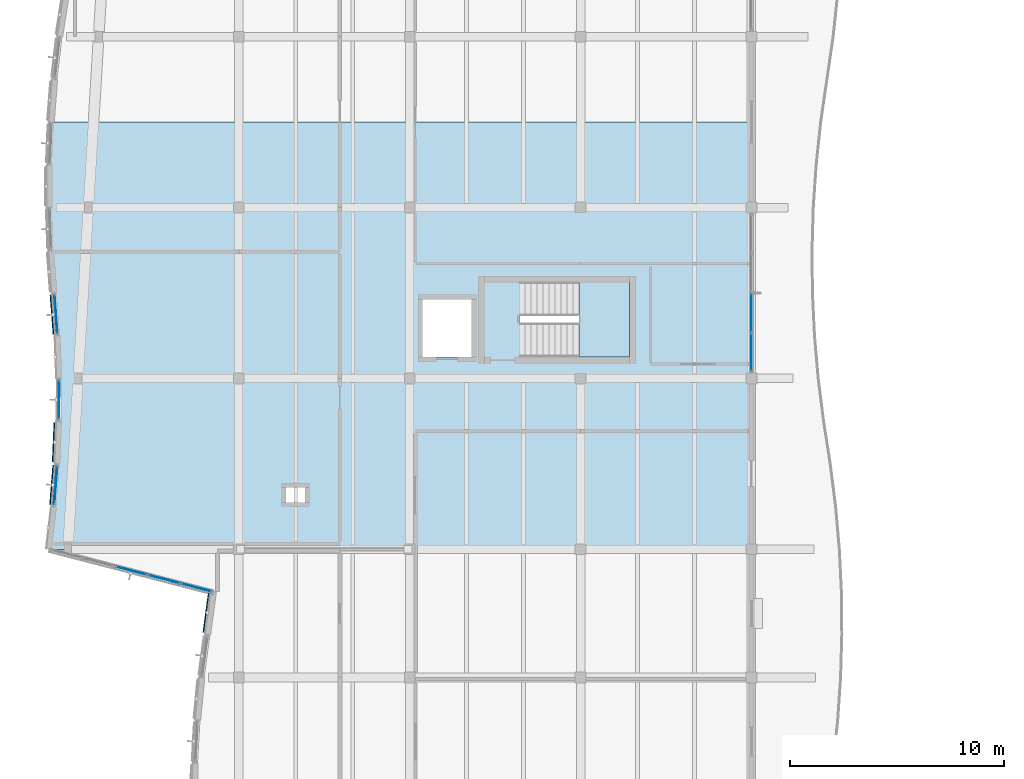
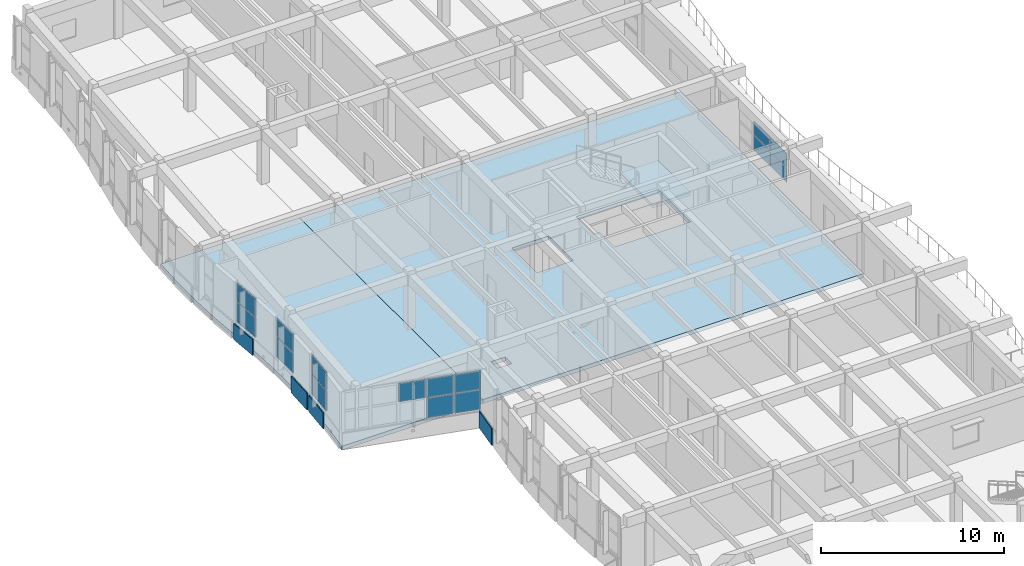
# One storey, part 45 of 89: 19 plates, 3 slabs, 6 elements without a shape of their own.
"""IFC4 building model written with IfcOpenShell, lengths in metres."""

from ifc_helpers import new_model, si_unit, direction, frame, origin, origin_2d, place, context, subcontext, project, spatial, polyline, rectangle, outline, extrude, material, layer, layer_set, type_object, element, aggregate, save


model = new_model("IFC4")

# Units and contexts
model_context = context("Model", 3, precision=1e-05, world=origin(), true_north=direction((0.0, 1.0)))
body_context = subcontext(model_context, "Body", "Model", "MODEL_VIEW")
ifc_project = project(units=[si_unit("LENGTHUNIT", "METRE"), si_unit("AREAUNIT", "SQUARE_METRE"), si_unit("VOLUMEUNIT", "CUBIC_METRE"), si_unit("PLANEANGLEUNIT", "RADIAN"), si_unit("MASSUNIT", "GRAM", prefix="KILO")], contexts=[model_context])

# Site, building, storey
site_placement = place(None, origin())
site = spatial("IfcSite", under=ifc_project, at=site_placement, CompositionType="ELEMENT")
building_placement = place(site_placement, origin())
building = spatial("IfcBuilding", under=site, at=building_placement, Name="Tonlespit Floodbar School", CompositionType="ELEMENT")
storey_placement = place(building_placement, frame((0.0, 0.0, 4.5)))
storey = spatial("IfcBuildingStorey", under=building, at=storey_placement, Name="L01", CompositionType="ELEMENT", Elevation=4.5)

# Curtain wall, plates
ifc_material_1 = material(Name="Anodised Aluminium", Category="aluminium")
ifc_layer_1 = layer(ifc_material_1, 0.159912109375)
ifc_layer_set_1 = layer_set([ifc_layer_1], Name="Anodised Aluminium")
curtain_wall_type_1 = type_object("IfcCurtainWallType", Name="CurtainWall_1900x2700", PredefinedType="NOTDEFINED", material=ifc_layer_set_1)
curtain_wall_1_placement = place(storey_placement, origin())
curtain_wall_1 = element("IfcCurtainWall", 1, at=curtain_wall_1_placement, inside=storey, type_object=curtain_wall_type_1, Name="L01 unitised curtain wall 0273", PredefinedType="NOTDEFINED")
ifc_material_2 = material(Name="Laminated Low-E Glass", Category="glass")
ifc_layer_2 = layer(ifc_material_2, 0.028076171875)
ifc_layer_set_2 = layer_set([ifc_layer_2], Name="Laminated Low-E Glass")
plate_type_1 = type_object("IfcPlateType", Name="CW_Panel_Glaz_28", PredefinedType="CURTAIN_PANEL", material=ifc_layer_set_2)
plate_1_placement = place(storey_placement, frame((3.5927734375, 63.0, 1.01513671875), z_axis=(0.0, 0.0, 1.0), x_axis=(0.00218749477, 0.99999760743, 0.0)))
plate_1 = element("IfcPlate", 2, at=plate_1_placement, type_object=plate_type_1, Name="CW-05 panel 1.1", PredefinedType="CURTAIN_PANEL", context=body_context, shape_type="SweptSolid", body=[
    extrude(rectangle(XDim=1.7900390625, YDim=0.028076171875, at=origin_2d()), origin(), (0.0, 0.0, 1.0), 1.306396484375),
])
plate_2_placement = place(storey_placement, frame((3.5927734375, 63.0, 2.38671875), z_axis=(0.0, 0.0, 1.0), x_axis=(0.00218749477, 0.99999760743, 0.0)))
plate_2 = element("IfcPlate", 3, at=plate_2_placement, type_object=plate_type_1, Name="CW-05 panel 1.2", PredefinedType="CURTAIN_PANEL", context=body_context, shape_type="SweptSolid", body=[
    extrude(rectangle(XDim=1.7900390625, YDim=0.028076171875, at=origin_2d()), origin(), (0.0, 0.0, 1.0), 1.198486328125),
])
aggregate(curtain_wall_1, [plate_1, plate_2])

ifc_layer_3 = layer(ifc_material_1, 0.159912109375)
ifc_layer_set_3 = layer_set([ifc_layer_3], Name="Anodised Aluminium")
curtain_wall_type_2 = type_object("IfcCurtainWallType", Name="CurtainWall_1950x2700", PredefinedType="NOTDEFINED", material=ifc_layer_set_3)
curtain_wall_2_placement = place(storey_placement, origin())
curtain_wall_2 = element("IfcCurtainWall", 4, at=curtain_wall_2_placement, inside=storey, type_object=curtain_wall_type_2, Name="L01 unitised curtain wall 0274", PredefinedType="NOTDEFINED")
ifc_layer_4 = layer(ifc_material_2, 0.031982421875)
ifc_layer_set_4 = layer_set([ifc_layer_4], Name="Laminated Low-E Glass")
plate_type_2 = type_object("IfcPlateType", Name="CW_Panel_Glaz_32", PredefinedType="CURTAIN_PANEL", material=ifc_layer_set_4)
plate_3_placement = place(storey_placement, frame((3.44580078125, 67.0, 1.01513671875), z_axis=(0.0, 0.0, 1.0), x_axis=(-0.075711654028, 0.997129753565, 0.0)))
plate_3 = element("IfcPlate", 5, at=plate_3_placement, type_object=plate_type_2, Name="CW-04 panel 1.1", PredefinedType="CURTAIN_PANEL", context=body_context, shape_type="SweptSolid", body=[
    extrude(rectangle(XDim=1.795654296875, YDim=0.031982421875, at=origin_2d()), origin(), (0.0, 0.0, 1.0), 1.306396484375),
])
plate_4_placement = place(storey_placement, frame((3.44580078125, 67.0, 2.38671875), z_axis=(0.0, 0.0, 1.0), x_axis=(-0.075711654028, 0.997129753565, 0.0)))
plate_4 = element("IfcPlate", 6, at=plate_4_placement, type_object=plate_type_2, Name="CW-04 panel 1.2", PredefinedType="CURTAIN_PANEL", context=body_context, shape_type="SweptSolid", body=[
    extrude(rectangle(XDim=1.795654296875, YDim=0.031982421875, at=origin_2d()), origin(), (0.0, 0.0, 1.0), 1.198486328125),
])
aggregate(curtain_wall_2, [plate_3, plate_4])

ifc_layer_5 = layer(ifc_material_1, 0.159912109375)
ifc_layer_set_5 = layer_set([ifc_layer_5], Name="Anodised Aluminium")
curtain_wall_type_3 = type_object("IfcCurtainWallType", Name="CurtainWall_7900x2700", PredefinedType="NOTDEFINED", material=ifc_layer_set_5)
curtain_wall_3_placement = place(storey_placement, origin())
curtain_wall_3 = element("IfcCurtainWall", 7, at=curtain_wall_3_placement, inside=storey, type_object=curtain_wall_type_3, Name="L01 unitised curtain wall 0271", PredefinedType="NOTDEFINED")
ifc_layer_6 = layer(ifc_material_2, 0.035888671875)
ifc_layer_set_6 = layer_set([ifc_layer_6], Name="Laminated Low-E Glass")
plate_type_3 = type_object("IfcPlateType", Name="CW_Panel_Glaz_36", PredefinedType="CURTAIN_PANEL", material=ifc_layer_set_6)
plate_5_placement = place(storey_placement, frame((10.00439453125, 54.212158203125, 1.01513671875), z_axis=(0.0, 0.0, 1.0), x_axis=(-0.967934999685, 0.25120078898, 0.0)))
plate_5 = element("IfcPlate", 8, at=plate_5_placement, type_object=plate_type_3, Name="CW-35 panel 1.1", PredefinedType="CURTAIN_PANEL", context=body_context, shape_type="SweptSolid", body=[
    extrude(rectangle(XDim=1.47900390625, YDim=0.035888671875, at=origin_2d()), origin(), (0.0, 0.0, 1.0), 1.306396484375),
])
plate_6_placement = place(storey_placement, frame((10.00439453125, 54.212158203125, 2.38671875), z_axis=(0.0, 0.0, 1.0), x_axis=(-0.967934999685, 0.25120078898, 0.0)))
plate_6 = element("IfcPlate", 9, at=plate_6_placement, type_object=plate_type_3, Name="CW-35 panel 1.2", PredefinedType="CURTAIN_PANEL", context=body_context, shape_type="SweptSolid", body=[
    extrude(rectangle(XDim=1.47900390625, YDim=0.035888671875, at=origin_2d()), origin(), (0.0, 0.0, 1.0), 1.198486328125),
])
plate_7_placement = place(storey_placement, frame((8.494384765625, 54.60400390625, 1.01513671875), z_axis=(0.0, 0.0, 1.0), x_axis=(-0.967934999685, 0.25120078898, 0.0)))
plate_7 = element("IfcPlate", 10, at=plate_7_placement, type_object=plate_type_3, Name="CW-35 panel 2.1", PredefinedType="CURTAIN_PANEL", context=body_context, shape_type="SweptSolid", body=[
    extrude(rectangle(XDim=1.511474609375, YDim=0.035888671875, at=origin_2d()), origin(), (0.0, 0.0, 1.0), 1.306396484375),
])
plate_8_placement = place(storey_placement, frame((8.494384765625, 54.60400390625, 2.38671875), z_axis=(0.0, 0.0, 1.0), x_axis=(-0.967934999685, 0.25120078898, 0.0)))
plate_8 = element("IfcPlate", 11, at=plate_8_placement, type_object=plate_type_3, Name="CW-35 panel 2.2", PredefinedType="CURTAIN_PANEL", context=body_context, shape_type="SweptSolid", body=[
    extrude(rectangle(XDim=1.511474609375, YDim=0.035888671875, at=origin_2d()), origin(), (0.0, 0.0, 1.0), 1.198486328125),
])
plate_9_placement = place(storey_placement, frame((6.968505859375, 55.0, 2.38671875), z_axis=(0.0, 0.0, 1.0), x_axis=(-0.967934999685, 0.25120078898, 0.0)))
plate_9 = element("IfcPlate", 12, at=plate_9_placement, type_object=plate_type_3, Name="CW-35 panel 3.2", PredefinedType="CURTAIN_PANEL", context=body_context, shape_type="SweptSolid", body=[
    extrude(rectangle(XDim=1.511474609375, YDim=0.035888671875, at=origin_2d()), origin(), (0.0, 0.0, 1.0), 1.198486328125),
])
aggregate(curtain_wall_3, [plate_5, plate_6, plate_7, plate_8, plate_9])

ifc_layer_7 = layer(ifc_material_1, 0.159912109375)
ifc_layer_set_7 = layer_set([ifc_layer_7], Name="Anodised Aluminium")
curtain_wall_type_4 = type_object("IfcCurtainWallType", Name="CurtainWall_7400x2050", PredefinedType="NOTDEFINED", material=ifc_layer_set_7)
curtain_wall_4_placement = place(storey_placement, origin())
curtain_wall_4 = element("IfcCurtainWall", 13, at=curtain_wall_4_placement, inside=storey, type_object=curtain_wall_type_4, Name="L01 unitised curtain wall 0283", PredefinedType="NOTDEFINED")
plate_10_placement = place(storey_placement, frame((36.0, 67.072509765625, 1.01513671875), z_axis=(0.0, 0.0, 1.0), x_axis=(0.0, -1.0, 0.0)))
plate_10 = element("IfcPlate", 14, at=plate_10_placement, type_object=plate_type_3, Name="CW-36 panel 3.1", PredefinedType="CURTAIN_PANEL", context=body_context, shape_type="SweptSolid", body=[
    extrude(rectangle(XDim=1.7900390625, YDim=0.035888671875, at=origin_2d()), origin(), (0.0, 0.0, 1.0), 0.968505859375),
])
plate_11_placement = place(storey_placement, frame((36.0, 67.072509765625, 2.04833984375), z_axis=(0.0, 0.0, 1.0), x_axis=(0.0, -1.0, 0.0)))
plate_11 = element("IfcPlate", 15, at=plate_11_placement, type_object=plate_type_3, Name="CW-36 panel 3.2", PredefinedType="CURTAIN_PANEL", context=body_context, shape_type="SweptSolid", body=[
    extrude(rectangle(XDim=1.7900390625, YDim=0.035888671875, at=origin_2d()), origin(), (0.0, 0.0, 1.0), 0.886474609375),
])
plate_12_placement = place(storey_placement, frame((36.0, 65.233642578125, 1.01513671875), z_axis=(0.0, 0.0, 1.0), x_axis=(0.0, -1.0, 0.0)))
plate_12 = element("IfcPlate", 16, at=plate_12_placement, type_object=plate_type_3, Name="CW-36 panel 4.1", PredefinedType="CURTAIN_PANEL", context=body_context, shape_type="SweptSolid", body=[
    extrude(rectangle(XDim=1.757568359375, YDim=0.035888671875, at=origin_2d()), origin(), (0.0, 0.0, 1.0), 0.968505859375),
])
plate_13_placement = place(storey_placement, frame((36.0, 65.233642578125, 2.04833984375), z_axis=(0.0, 0.0, 1.0), x_axis=(0.0, -1.0, 0.0)))
plate_13 = element("IfcPlate", 17, at=plate_13_placement, type_object=plate_type_3, Name="CW-36 panel 4.2", PredefinedType="CURTAIN_PANEL", context=body_context, shape_type="SweptSolid", body=[
    extrude(rectangle(XDim=1.757568359375, YDim=0.035888671875, at=origin_2d()), origin(), (0.0, 0.0, 1.0), 0.886474609375),
])
aggregate(curtain_wall_4, [plate_10, plate_11, plate_12, plate_13])

curtain_wall_5_placement = place(storey_placement, origin())
curtain_wall_5 = element("IfcCurtainWall", 18, at=curtain_wall_5_placement, inside=storey, type_object=curtain_wall_type_2, Name="L01 unitised curtain wall 0272", PredefinedType="NOTDEFINED")
ifc_layer_8 = layer(ifc_material_2, 0.0419921875)
ifc_layer_set_8 = layer_set([ifc_layer_8], Name="Laminated Low-E Glass")
plate_type_4 = type_object("IfcPlateType", Name="CW_Panel_Glaz_42", PredefinedType="CURTAIN_PANEL", material=ifc_layer_set_8)
plate_14_placement = place(storey_placement, frame((3.429931640625, 59.0, 1.01513671875), z_axis=(0.0, 0.0, 1.0), x_axis=(0.078963166836, 0.996877534245, 0.0)))
plate_14 = element("IfcPlate", 19, at=plate_14_placement, type_object=plate_type_4, Name="CW-04 panel 1.1", PredefinedType="CURTAIN_PANEL", context=body_context, shape_type="SweptSolid", body=[
    extrude(rectangle(XDim=1.796142578125, YDim=0.0419921875, at=origin_2d()), origin(), (0.0, 0.0, 1.0), 1.306396484375),
])
plate_15_placement = place(storey_placement, frame((3.429931640625, 59.0, 2.38671875), z_axis=(0.0, 0.0, 1.0), x_axis=(0.078963166836, 0.996877534245, 0.0)))
plate_15 = element("IfcPlate", 20, at=plate_15_placement, type_object=plate_type_4, Name="CW-04 panel 1.2", PredefinedType="CURTAIN_PANEL", context=body_context, shape_type="SweptSolid", body=[
    extrude(rectangle(XDim=1.796142578125, YDim=0.0419921875, at=origin_2d()), origin(), (0.0, 0.0, 1.0), 1.198486328125),
])
aggregate(curtain_wall_5, [plate_14, plate_15])

# Plates
ifc_material_3 = material(Name="White Architectural Aluminium", Category="aluminium")
ifc_layer_9 = layer(ifc_material_3, 0.06494140625)
ifc_layer_set_9 = layer_set([ifc_layer_9], Name="White Architectural Aluminium")
plate_type_5 = type_object("IfcPlateType", Name="FacadeRibbon_White_65", PredefinedType="SHEET", material=ifc_layer_set_9)
plate_16_placement = place(storey_placement, frame((10.475830078125, 53.028564453125, -0.1201171875), z_axis=(0.0, 0.0, 1.0), x_axis=(0.134662424626, 0.990891533617, 0.0)))
element("IfcPlate", 21, at=plate_16_placement, inside=storey, type_object=plate_type_5, Name="L01 flowing white street spandrel ribbon 0521", PredefinedType="SHEET", context=body_context, shape_type="SweptSolid", body=[
    extrude(rectangle(XDim=1.8583984375, YDim=0.06494140625, at=origin_2d()), origin(), (0.0, 0.0, 1.0), 1.1201171875),
])
plate_17_placement = place(storey_placement, frame((3.248291015625, 59.014404296875, -0.1201171875), z_axis=(0.0, 0.0, 1.0), x_axis=(0.079001948152, 0.996874461599, 0.0)))
element("IfcPlate", 22, at=plate_17_placement, inside=storey, type_object=plate_type_5, Name="L01 flowing white street spandrel ribbon 0524", PredefinedType="SHEET", context=body_context, shape_type="SweptSolid", body=[
    extrude(rectangle(XDim=1.84619140625, YDim=0.06494140625, at=origin_2d()), origin(), (0.0, 0.0, 1.0), 1.070068359375),
])
plate_18_placement = place(storey_placement, frame((3.337890625, 61.008544921875, -0.1201171875), z_axis=(0.0, 0.0, 1.0), x_axis=(0.040715999914, 0.999170759856, 0.0)))
element("IfcPlate", 23, at=plate_18_placement, inside=storey, type_object=plate_type_5, Name="L01 flowing white street spandrel ribbon 0525", PredefinedType="SHEET", context=body_context, shape_type="SweptSolid", body=[
    extrude(rectangle(XDim=1.841796875, YDim=0.06494140625, at=origin_2d()), origin(), (0.0, 0.0, 1.0), 1.1201171875),
])
plate_19_placement = place(storey_placement, frame((3.264404296875, 66.986083984375, -0.1201171875), z_axis=(0.0, 0.0, 1.0), x_axis=(-0.075681836348, 0.997132017161, 0.0)))
element("IfcPlate", 24, at=plate_19_placement, inside=storey, type_object=plate_type_5, Name="L01 flowing white street spandrel ribbon 0528", PredefinedType="SHEET", context=body_context, shape_type="SweptSolid", body=[
    extrude(rectangle(XDim=1.845703125, YDim=0.06494140625, at=origin_2d()), origin(), (0.0, 0.0, 1.0), 1.070068359375),
])

# Stair, slab
ifc_material_4 = material(Name="Concrete C40/50", Category="concrete")
stair_type = type_object("IfcStairType", Name="Stair_Core_Upper", PredefinedType="HALF_TURN_STAIR", material=ifc_material_4)
stair_placement = place(storey_placement, origin())
stair = element("IfcStair", 25, at=stair_placement, inside=storey, type_object=stair_type, Name="L01 Core C3 escape stair", PredefinedType="HALF_TURN_STAIR")
ifc_layer_10 = layer(ifc_material_4, 0.199951171875)
ifc_layer_set_10 = layer_set([ifc_layer_10], Name="Concrete C40/50")
slab_type_1 = type_object("IfcSlabType", Name="Landing_Core_RC200", PredefinedType="LANDING", material=ifc_layer_set_10)
slab_1_placement = place(storey_placement, frame((0.0, 0.0, 1.75)))
slab_1 = element("IfcSlab", 26, at=slab_1_placement, type_object=slab_type_1, Name="ST-C3 landing 1", PredefinedType="LANDING", context=body_context, shape_type="SweptSolid", body=[
    extrude(outline(polyline([(27.919921875, 65.0), (30.300048828125, 65.0), (30.300048828125, 68.5400390625), (27.919921875, 68.5400390625), (27.919921875, 65.0)])), origin(), (0.0, 0.0, 1.0), 0.199951171875),
])
aggregate(stair, [slab_1])

# Slabs
ifc_layer_11 = layer(ifc_material_4, 0.260009765625)
ifc_layer_set_11 = layer_set([ifc_layer_11], Name="Concrete C40/50")
slab_type_2 = type_object("IfcSlabType", Name="Slab_Podium_RC_250", PredefinedType="FLOOR", material=ifc_layer_set_11)
slab_2_placement = place(storey_placement, frame((0.0, 0.0, -0.260009765625)))
element("IfcSlab", 27, at=slab_2_placement, inside=storey, type_object=slab_type_2, Name="L01 V2 L01 mid STEAM lab slab", PredefinedType="FLOOR", context=body_context, shape_type="SweptSolid", body=[
    extrude(outline(polyline([(12.0, 56.0), (36.0, 56.0), (36.0, 76.0), (12.0, 76.0), (12.0, 56.0)]), holes=[polyline([(25.5, 65.0), (30.300048828125, 65.0), (30.300048828125, 68.5400390625), (25.14501953125, 68.5400390625), (25.14501953125, 66.6201171875), (25.5, 66.6201171875), (25.5, 65.0)]), polyline([(20.60009765625, 65.0), (22.89990234375, 65.0), (22.89990234375, 67.699951171875), (20.60009765625, 67.699951171875), (20.60009765625, 65.0)]), polyline([(14.199951171875, 58.199951171875), (15.10009765625, 58.199951171875), (15.10009765625, 58.89990234375), (14.199951171875, 58.89990234375), (14.199951171875, 58.199951171875)])]), origin(), (0.0, 0.0, 1.0), 0.260009765625),
])
slab_3_placement = place(storey_placement, frame((0.0, 0.0, -0.260009765625)))
element("IfcSlab", 28, at=slab_3_placement, inside=storey, type_object=slab_type_2, Name="L01 V2 L01 splayed studio slab 56", PredefinedType="FLOOR", context=body_context, shape_type="SweptSolid", body=[
    extrude(outline(polyline([(12.0, 56.0), (12.0, 76.0), (3.23095703125, 76.0), (3.1494140625, 74.0), (3.14501953125, 72.0), (3.21826171875, 70.0), (3.3701171875, 68.0), (3.521728515625, 66.0), (3.594970703125, 64.0), (3.590576171875, 62.0), (3.509033203125, 60.0), (3.3505859375, 58.0), (3.114990234375, 56.0), (12.0, 56.0)])), origin(), (0.0, 0.0, 1.0), 0.260009765625),
])

save(model, "model.ifc")
